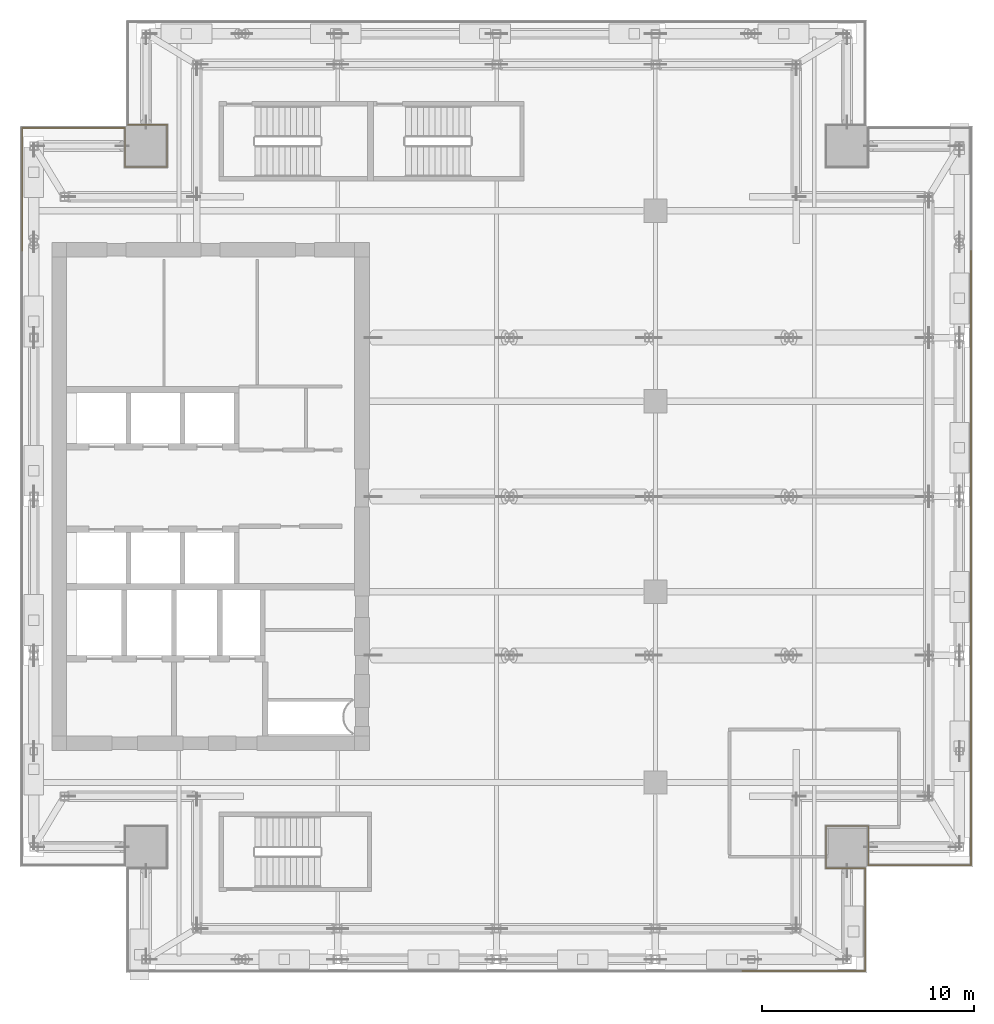
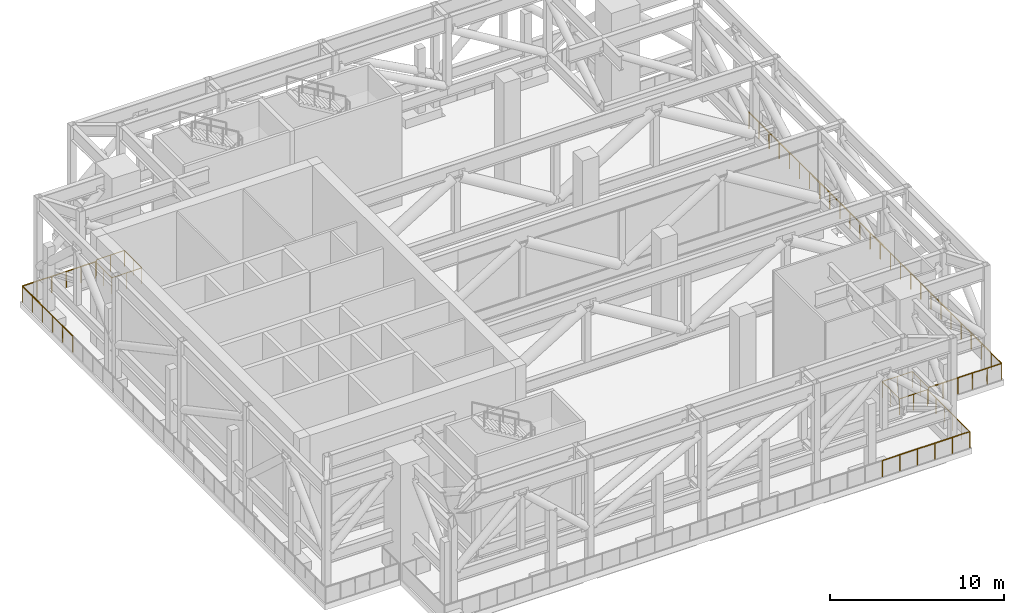
# One storey, part 13 of 15: 14 railings.
"""IFC4 building model written with IfcOpenShell, lengths in metres."""

from ifc_helpers import new_model, si_unit, direction, frame, origin, origin_2d, place, context, subcontext, project, spatial, circle, extrude, source, transform, mapped, material, type_object, element, save


model = new_model("IFC4")

# Units and contexts
model_context = context("Model", 3, precision=1e-05, world=origin(), true_north=direction((0.0, 1.0)))
body_context = subcontext(model_context, "Body", "Model", "MODEL_VIEW")
ifc_project = project(units=[si_unit("LENGTHUNIT", "METRE"), si_unit("AREAUNIT", "SQUARE_METRE"), si_unit("VOLUMEUNIT", "CUBIC_METRE"), si_unit("PLANEANGLEUNIT", "RADIAN"), si_unit("MASSUNIT", "GRAM", prefix="KILO")], contexts=[model_context])

# Site, building, storey
site_placement = place(None, origin())
site = spatial("IfcSite", under=ifc_project, at=site_placement, CompositionType="ELEMENT")
building_placement = place(site_placement, origin())
building = spatial("IfcBuilding", under=site, at=building_placement, Name="Khomas Fold Tower", CompositionType="ELEMENT")
storey_placement = place(building_placement, frame((0.0, 0.0, 274.199951171875)))
storey = spatial("IfcBuildingStorey", under=building, at=storey_placement, Name="L62", CompositionType="ELEMENT", Elevation=274.199951171875)

# Railings
ifc_material = material(Name="Powder-coated steel", Category="steel")
railing_type = type_object("IfcRailingType", Name="Balcony guard", PredefinedType="GUARDRAIL", material=ifc_material)
shared_shape_1 = source(origin(), body_context, "Body", "SweptSolid", [
    extrude(circle(Radius=0.02490234375, at=origin_2d()), frame((0.0, 0.0, 1.125), z_axis=(-1.0, 0.0, 0.0), x_axis=(0.0, -1.0, 0.0)), (0.0, 0.0, 1.0), 4.849853515625),
    extrude(circle(Radius=0.02001953125, at=origin_2d()), origin(), (0.0, 0.0, 1.0), 1.099853515625),
    extrude(circle(Radius=0.02001953125, at=origin_2d()), frame((-0.969970703125, 0.0, 0.0)), (0.0, 0.0, 1.0), 1.099853515625),
    extrude(circle(Radius=0.02001953125, at=origin_2d()), frame((-1.93994140625, 0.0, 0.0)), (0.0, 0.0, 1.0), 1.099853515625),
    extrude(circle(Radius=0.02001953125, at=origin_2d()), frame((-2.909912109375, 0.0, 0.0)), (0.0, 0.0, 1.0), 1.099853515625),
    extrude(circle(Radius=0.02001953125, at=origin_2d()), frame((-3.8798828125, 0.0, 0.0)), (0.0, 0.0, 1.0), 1.099853515625),
    extrude(circle(Radius=0.02001953125, at=origin_2d()), frame((-4.849853515625, 0.0, 0.0)), (0.0, 0.0, 1.0), 1.099853515625),
])
railing_1_placement = place(storey_placement, frame((49.39990234375, 9.60009765625, 0.0)))
element("IfcRailing", 1, at=railing_1_placement, inside=storey, type_object=railing_type, Name="GUARD 221", PredefinedType="GUARDRAIL", context=body_context, shape_type="MappedRepresentation", body=[
    mapped(shared_shape_1, transform((0.0, 0.0, 0.0))),
])
shared_shape_2 = source(origin(), body_context, "Body", "SweptSolid", [
    extrude(circle(Radius=0.02490234375, at=origin_2d()), frame((0.0, 0.0, 1.125), z_axis=(0.0, 1.0, 0.0), x_axis=(-1.0, 0.0, 0.0)), (0.0, 0.0, 1.0), 5.7998046875),
    extrude(circle(Radius=0.02001953125, at=origin_2d()), origin(), (0.0, 0.0, 1.0), 1.099853515625),
    extrude(circle(Radius=0.02001953125, at=origin_2d()), frame((0.0, 1.159912109375, 0.0)), (0.0, 0.0, 1.0), 1.099853515625),
    extrude(circle(Radius=0.02001953125, at=origin_2d()), frame((0.0, 2.31982421875, 0.0)), (0.0, 0.0, 1.0), 1.099853515625),
    extrude(circle(Radius=0.02001953125, at=origin_2d()), frame((0.0, 3.47998046875, 0.0)), (0.0, 0.0, 1.0), 1.099853515625),
    extrude(circle(Radius=0.02001953125, at=origin_2d()), frame((0.0, 4.639892578125, 0.0)), (0.0, 0.0, 1.0), 1.099853515625),
    extrude(circle(Radius=0.02001953125, at=origin_2d()), frame((0.0, 5.7998046875, 0.0)), (0.0, 0.0, 1.0), 1.099853515625),
])
railing_2_placement = place(storey_placement, frame((4.60009765625, 38.60009765625, 0.0)))
element("IfcRailing", 2, at=railing_2_placement, inside=storey, type_object=railing_type, Name="GUARD 221", PredefinedType="GUARDRAIL", context=body_context, shape_type="MappedRepresentation", body=[
    mapped(shared_shape_2, transform((0.0, 0.0, 0.0))),
])
shared_shape_3 = source(origin(), body_context, "Body", "SweptSolid", [
    extrude(circle(Radius=0.02490234375, at=origin_2d()), frame((0.0, 0.0, 1.125), z_axis=(1.0, 0.0, 0.0), x_axis=(0.0, 1.0, 0.0)), (0.0, 0.0, 1.0), 4.849853515625),
    extrude(circle(Radius=0.02001953125, at=origin_2d()), origin(), (0.0, 0.0, 1.0), 1.099853515625),
    extrude(circle(Radius=0.02001953125, at=origin_2d()), frame((0.969970703125, 0.0, 0.0)), (0.0, 0.0, 1.0), 1.099853515625),
    extrude(circle(Radius=0.02001953125, at=origin_2d()), frame((1.93994140625, 0.0, 0.0)), (0.0, 0.0, 1.0), 1.099853515625),
    extrude(circle(Radius=0.02001953125, at=origin_2d()), frame((2.909912109375, 0.0, 0.0)), (0.0, 0.0, 1.0), 1.099853515625),
    extrude(circle(Radius=0.02001953125, at=origin_2d()), frame((3.8798828125, 0.0, 0.0)), (0.0, 0.0, 1.0), 1.099853515625),
    extrude(circle(Radius=0.02001953125, at=origin_2d()), frame((4.849853515625, 0.0, 0.0)), (0.0, 0.0, 1.0), 1.099853515625),
])
railing_3_placement = place(storey_placement, frame((4.60009765625, 44.39990234375, 0.0)))
element("IfcRailing", 3, at=railing_3_placement, inside=storey, type_object=railing_type, Name="GUARD 221", PredefinedType="GUARDRAIL", context=body_context, shape_type="MappedRepresentation", body=[
    mapped(shared_shape_3, transform((0.0, 0.0, 0.0))),
])
shared_shape_4 = source(origin(), body_context, "Body", "SweptSolid", [
    extrude(circle(Radius=0.02490234375, at=origin_2d()), frame((0.0, 0.0, 1.125), z_axis=(0.0, -1.0, 0.0), x_axis=(1.0, 0.0, 0.0)), (0.0, 0.0, 1.0), 1.849853515625),
    extrude(circle(Radius=0.02490234375, at=origin_2d()), frame((0.0, -1.849853515625, 1.125), z_axis=(1.0, 0.0, 0.0), x_axis=(0.0, 1.0, 0.0)), (0.0, 0.0, 1.0), 2.0),
    extrude(circle(Radius=0.02490234375, at=origin_2d()), frame((2.0, -1.849853515625, 1.125), z_axis=(0.0, 1.0, 0.0), x_axis=(-1.0, 0.0, 0.0)), (0.0, 0.0, 1.0), 2.0),
    extrude(circle(Radius=0.02001953125, at=origin_2d()), origin(), (0.0, 0.0, 1.0), 1.099853515625),
    extrude(circle(Radius=0.02001953125, at=origin_2d()), frame((0.0, -0.9248046875, 0.0)), (0.0, 0.0, 1.0), 1.099853515625),
    extrude(circle(Radius=0.02001953125, at=origin_2d()), frame((0.0, -1.849853515625, 0.0)), (0.0, 0.0, 1.0), 1.099853515625),
    extrude(circle(Radius=0.02001953125, at=origin_2d()), frame((1.0, -1.849853515625, 0.0)), (0.0, 0.0, 1.0), 1.099853515625),
    extrude(circle(Radius=0.02001953125, at=origin_2d()), frame((2.0, -1.849853515625, 0.0)), (0.0, 0.0, 1.0), 1.099853515625),
    extrude(circle(Radius=0.02001953125, at=origin_2d()), frame((2.0, -0.849853515625, 0.0)), (0.0, 0.0, 1.0), 1.099853515625),
    extrude(circle(Radius=0.02001953125, at=origin_2d()), frame((2.0, 0.150146484375, 0.0)), (0.0, 0.0, 1.0), 1.099853515625),
])
railing_4_placement = place(storey_placement, frame((9.449951171875, 44.39990234375, 0.0)))
element("IfcRailing", 4, at=railing_4_placement, inside=storey, type_object=railing_type, Name="GUARD 221", PredefinedType="GUARDRAIL", context=body_context, shape_type="MappedRepresentation", body=[
    mapped(shared_shape_4, transform((0.0, 0.0, 0.0))),
])
shared_shape_5 = source(origin(), body_context, "Body", "SweptSolid", [
    extrude(circle(Radius=0.02490234375, at=origin_2d()), frame((0.0, 0.0, 1.125), z_axis=(-1.0, 0.0, 0.0), x_axis=(0.0, -1.0, 0.0)), (0.0, 0.0, 1.0), 1.849853515625),
    extrude(circle(Radius=0.02001953125, at=origin_2d()), origin(), (0.0, 0.0, 1.0), 1.099853515625),
    extrude(circle(Radius=0.02001953125, at=origin_2d()), frame((-0.9248046875, 0.0, 0.0)), (0.0, 0.0, 1.0), 1.099853515625),
    extrude(circle(Radius=0.02001953125, at=origin_2d()), frame((-1.849853515625, 0.0, 0.0)), (0.0, 0.0, 1.0), 1.099853515625),
])
railing_5_placement = place(storey_placement, frame((11.449951171875, 44.550048828125, 0.0)))
element("IfcRailing", 5, at=railing_5_placement, inside=storey, type_object=railing_type, Name="GUARD 221", PredefinedType="GUARDRAIL", context=body_context, shape_type="MappedRepresentation", body=[
    mapped(shared_shape_5, transform((0.0, 0.0, 0.0))),
])
shared_shape_6 = source(origin(), body_context, "Body", "SweptSolid", [
    extrude(circle(Radius=0.02490234375, at=origin_2d()), frame((0.0, 0.0, 1.125), z_axis=(0.0, -1.0, 0.0), x_axis=(1.0, 0.0, 0.0)), (0.0, 0.0, 1.0), 4.849853515625),
    extrude(circle(Radius=0.02001953125, at=origin_2d()), origin(), (0.0, 0.0, 1.0), 1.099853515625),
    extrude(circle(Radius=0.02001953125, at=origin_2d()), frame((0.0, -0.969970703125, 0.0)), (0.0, 0.0, 1.0), 1.099853515625),
    extrude(circle(Radius=0.02001953125, at=origin_2d()), frame((0.0, -1.93994140625, 0.0)), (0.0, 0.0, 1.0), 1.099853515625),
    extrude(circle(Radius=0.02001953125, at=origin_2d()), frame((0.0, -2.909912109375, 0.0)), (0.0, 0.0, 1.0), 1.099853515625),
    extrude(circle(Radius=0.02001953125, at=origin_2d()), frame((0.0, -3.8798828125, 0.0)), (0.0, 0.0, 1.0), 1.099853515625),
    extrude(circle(Radius=0.02001953125, at=origin_2d()), frame((0.0, -4.849853515625, 0.0)), (0.0, 0.0, 1.0), 1.099853515625),
])
railing_6_placement = place(storey_placement, frame((44.39990234375, 9.449951171875, 0.0)))
element("IfcRailing", 6, at=railing_6_placement, inside=storey, type_object=railing_type, Name="GUARD 221", PredefinedType="GUARDRAIL", context=body_context, shape_type="MappedRepresentation", body=[
    mapped(shared_shape_6, transform((0.0, 0.0, 0.0))),
])
shared_shape_7 = source(origin(), body_context, "Body", "SweptSolid", [
    extrude(circle(Radius=0.02490234375, at=origin_2d()), frame((0.0, 0.0, 1.125), z_axis=(0.0, -1.0, 0.0), x_axis=(1.0, 0.0, 0.0)), (0.0, 0.0, 1.0), 5.7998046875),
    extrude(circle(Radius=0.02001953125, at=origin_2d()), origin(), (0.0, 0.0, 1.0), 1.099853515625),
    extrude(circle(Radius=0.02001953125, at=origin_2d()), frame((0.0, -1.159912109375, 0.0)), (0.0, 0.0, 1.0), 1.099853515625),
    extrude(circle(Radius=0.02001953125, at=origin_2d()), frame((0.0, -2.31982421875, 0.0)), (0.0, 0.0, 1.0), 1.099853515625),
    extrude(circle(Radius=0.02001953125, at=origin_2d()), frame((0.0, -3.47998046875, 0.0)), (0.0, 0.0, 1.0), 1.099853515625),
    extrude(circle(Radius=0.02001953125, at=origin_2d()), frame((0.0, -4.639892578125, 0.0)), (0.0, 0.0, 1.0), 1.099853515625),
    extrude(circle(Radius=0.02001953125, at=origin_2d()), frame((0.0, -5.7998046875, 0.0)), (0.0, 0.0, 1.0), 1.099853515625),
])
railing_7_placement = place(storey_placement, frame((49.39990234375, 15.39990234375, 0.0)))
element("IfcRailing", 7, at=railing_7_placement, inside=storey, type_object=railing_type, Name="GUARD 221", PredefinedType="GUARDRAIL", context=body_context, shape_type="MappedRepresentation", body=[
    mapped(shared_shape_7, transform((0.0, 0.0, 0.0))),
])
shared_shape_8 = source(origin(), body_context, "Body", "SweptSolid", [
    extrude(circle(Radius=0.02490234375, at=origin_2d()), frame((0.0, 0.0, 1.125), z_axis=(0.0, -1.0, 0.0), x_axis=(1.0, 0.0, 0.0)), (0.0, 0.0, 1.0), 5.800048828125),
    extrude(circle(Radius=0.02001953125, at=origin_2d()), origin(), (0.0, 0.0, 1.0), 1.099853515625),
    extrude(circle(Radius=0.02001953125, at=origin_2d()), frame((0.0, -1.159912109375, 0.0)), (0.0, 0.0, 1.0), 1.099853515625),
    extrude(circle(Radius=0.02001953125, at=origin_2d()), frame((0.0, -2.320068359375, 0.0)), (0.0, 0.0, 1.0), 1.099853515625),
    extrude(circle(Radius=0.02001953125, at=origin_2d()), frame((0.0, -3.47998046875, 0.0)), (0.0, 0.0, 1.0), 1.099853515625),
    extrude(circle(Radius=0.02001953125, at=origin_2d()), frame((0.0, -4.64013671875, 0.0)), (0.0, 0.0, 1.0), 1.099853515625),
    extrude(circle(Radius=0.02001953125, at=origin_2d()), frame((0.0, -5.800048828125, 0.0)), (0.0, 0.0, 1.0), 1.099853515625),
])
for number, where, name in (
    (8, (49.39990234375, 38.60009765625, 0.0), "GUARD 221"),
    (9, (49.39990234375, 32.800048828125, 0.0), "GUARD 221"),
    (10, (49.39990234375, 27.0, 0.0), "GUARD 221"),
    (11, (49.39990234375, 21.199951171875, 0.0), "GUARD 221"),
):
    element("IfcRailing", number, at=place(storey_placement, frame(where)), inside=storey, type_object=railing_type, Name=name, PredefinedType="GUARDRAIL", context=body_context, shape_type="MappedRepresentation", body=[
        mapped(shared_shape_8, transform((0.0, 0.0, 0.0))),
    ])
shared_shape_9 = source(origin(), body_context, "Body", "SweptSolid", [
    extrude(circle(Radius=0.02490234375, at=origin_2d()), frame((0.0, 0.0, 1.125), z_axis=(0.0, 1.0, 0.0), x_axis=(-1.0, 0.0, 0.0)), (0.0, 0.0, 1.0), 1.849853515625),
    extrude(circle(Radius=0.02490234375, at=origin_2d()), frame((0.0, 1.849853515625, 1.125), z_axis=(-1.0, 0.0, 0.0), x_axis=(0.0, -1.0, 0.0)), (0.0, 0.0, 1.0), 2.0),
    extrude(circle(Radius=0.02490234375, at=origin_2d()), frame((-2.0, 1.849853515625, 1.125), z_axis=(0.0, -1.0, 0.0), x_axis=(1.0, 0.0, 0.0)), (0.0, 0.0, 1.0), 2.0),
    extrude(circle(Radius=0.02001953125, at=origin_2d()), origin(), (0.0, 0.0, 1.0), 1.099853515625),
    extrude(circle(Radius=0.02001953125, at=origin_2d()), frame((0.0, 0.9248046875, 0.0)), (0.0, 0.0, 1.0), 1.099853515625),
    extrude(circle(Radius=0.02001953125, at=origin_2d()), frame((0.0, 1.849853515625, 0.0)), (0.0, 0.0, 1.0), 1.099853515625),
    extrude(circle(Radius=0.02001953125, at=origin_2d()), frame((-1.0, 1.849853515625, 0.0)), (0.0, 0.0, 1.0), 1.099853515625),
    extrude(circle(Radius=0.02001953125, at=origin_2d()), frame((-2.0, 1.849853515625, 0.0)), (0.0, 0.0, 1.0), 1.099853515625),
    extrude(circle(Radius=0.02001953125, at=origin_2d()), frame((-2.0, 0.849853515625, 0.0)), (0.0, 0.0, 1.0), 1.099853515625),
    extrude(circle(Radius=0.02001953125, at=origin_2d()), frame((-2.0, -0.150146484375, 0.0)), (0.0, 0.0, 1.0), 1.099853515625),
])
railing_8_placement = place(storey_placement, frame((44.550048828125, 9.60009765625, 0.0)))
element("IfcRailing", 12, at=railing_8_placement, inside=storey, type_object=railing_type, Name="GUARD 221", PredefinedType="GUARDRAIL", context=body_context, shape_type="MappedRepresentation", body=[
    mapped(shared_shape_9, transform((0.0, 0.0, 0.0))),
])
shared_shape_10 = source(origin(), body_context, "Body", "SweptSolid", [
    extrude(circle(Radius=0.02490234375, at=origin_2d()), frame((0.0, 0.0, 1.125), z_axis=(1.0, 0.0, 0.0), x_axis=(0.0, 1.0, 0.0)), (0.0, 0.0, 1.0), 1.849853515625),
    extrude(circle(Radius=0.02001953125, at=origin_2d()), origin(), (0.0, 0.0, 1.0), 1.099853515625),
    extrude(circle(Radius=0.02001953125, at=origin_2d()), frame((0.9248046875, 0.0, 0.0)), (0.0, 0.0, 1.0), 1.099853515625),
    extrude(circle(Radius=0.02001953125, at=origin_2d()), frame((1.849853515625, 0.0, 0.0)), (0.0, 0.0, 1.0), 1.099853515625),
])
railing_9_placement = place(storey_placement, frame((42.550048828125, 9.449951171875, 0.0)))
element("IfcRailing", 13, at=railing_9_placement, inside=storey, type_object=railing_type, Name="GUARD 221", PredefinedType="GUARDRAIL", context=body_context, shape_type="MappedRepresentation", body=[
    mapped(shared_shape_10, transform((0.0, 0.0, 0.0))),
])
shared_shape_11 = source(origin(), body_context, "Body", "SweptSolid", [
    extrude(circle(Radius=0.02490234375, at=origin_2d()), frame((0.0, 0.0, 1.125), z_axis=(-1.0, 0.0, 0.0), x_axis=(0.0, -1.0, 0.0)), (0.0, 0.0, 1.0), 5.7998046875),
    extrude(circle(Radius=0.02001953125, at=origin_2d()), origin(), (0.0, 0.0, 1.0), 1.099853515625),
    extrude(circle(Radius=0.02001953125, at=origin_2d()), frame((-1.159912109375, 0.0, 0.0)), (0.0, 0.0, 1.0), 1.099853515625),
    extrude(circle(Radius=0.02001953125, at=origin_2d()), frame((-2.31982421875, 0.0, 0.0)), (0.0, 0.0, 1.0), 1.099853515625),
    extrude(circle(Radius=0.02001953125, at=origin_2d()), frame((-3.47998046875, 0.0, 0.0)), (0.0, 0.0, 1.0), 1.099853515625),
    extrude(circle(Radius=0.02001953125, at=origin_2d()), frame((-4.639892578125, 0.0, 0.0)), (0.0, 0.0, 1.0), 1.099853515625),
    extrude(circle(Radius=0.02001953125, at=origin_2d()), frame((-5.7998046875, 0.0, 0.0)), (0.0, 0.0, 1.0), 1.099853515625),
])
railing_10_placement = place(storey_placement, frame((44.39990234375, 4.60009765625, 0.0)))
element("IfcRailing", 14, at=railing_10_placement, inside=storey, type_object=railing_type, Name="GUARD 221", PredefinedType="GUARDRAIL", context=body_context, shape_type="MappedRepresentation", body=[
    mapped(shared_shape_11, transform((0.0, 0.0, 0.0))),
])

save(model, "model.ifc")
